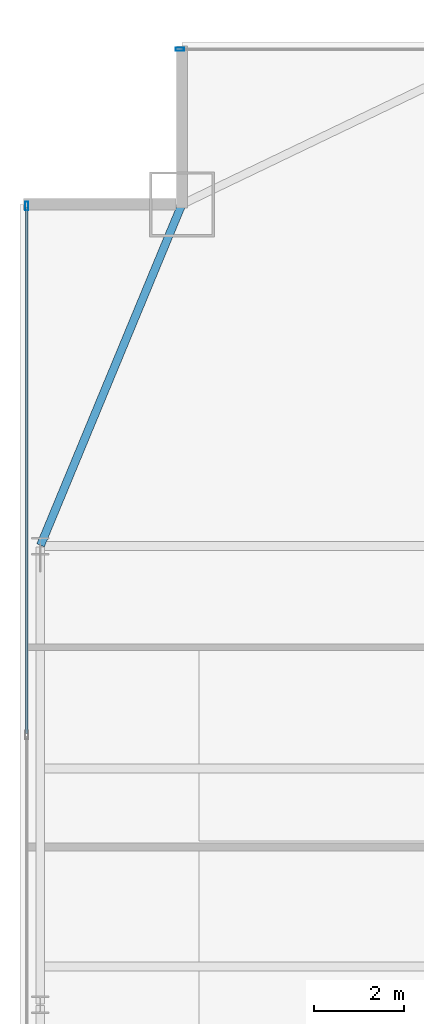
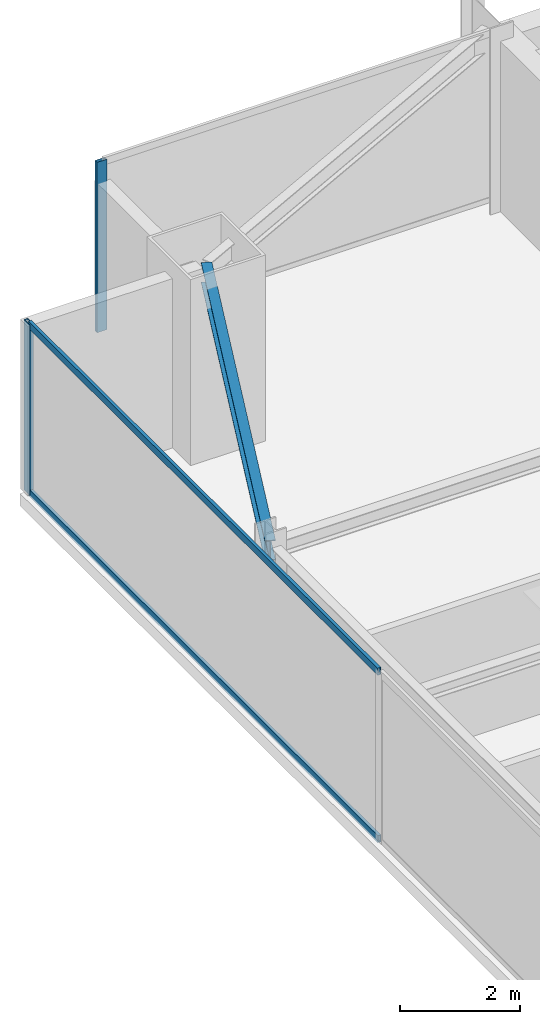
# One storey, part 21 of 33: 4 members, 1 beam, 2 elements without a shape of their own.
"""IFC4 building model written with IfcOpenShell, lengths in metres."""

from ifc_helpers import new_model, si_unit, direction, frame, origin, origin_2d, place, context, subcontext, project, spatial, hollow_rectangle, i_section, extrude, source, transform, mapped, material, layer, layer_set, material_profile, profile_set, type_object, type_shapes, element, aggregate, save


model = new_model("IFC4")

# Units and contexts
model_context = context("Model", 3, precision=1e-05, world=origin(), true_north=direction((0.0, 1.0)))
body_context = subcontext(model_context, "Body", "Model", "MODEL_VIEW")
ifc_project = project(units=[si_unit("LENGTHUNIT", "METRE"), si_unit("AREAUNIT", "SQUARE_METRE"), si_unit("VOLUMEUNIT", "CUBIC_METRE"), si_unit("PLANEANGLEUNIT", "RADIAN"), si_unit("MASSUNIT", "GRAM", prefix="KILO")], contexts=[model_context])

# Site, building, storey
site_placement = place(None, origin())
site = spatial("IfcSite", under=ifc_project, at=site_placement, CompositionType="ELEMENT")
building_placement = place(site_placement, origin())
building = spatial("IfcBuilding", under=site, at=building_placement, Name="Varnel Quay Broadcast Tower", CompositionType="ELEMENT")
storey_placement = place(building_placement, frame((0.0, 0.0, 137.199951171875)))
storey = spatial("IfcBuildingStorey", under=building, at=storey_placement, Name="L33", CompositionType="ELEMENT", Elevation=137.199951171875)

# Beam
ifc_material_1 = material(Name="Structural Steel CSA G40.21 350W", Category="steel")
ifc_material_profile_1 = material_profile(ifc_material_1, i_section(OverallWidth=0.180908203125, OverallDepth=0.4169921875, WebThickness=0.010986328125, FlangeThickness=0.018310546875, FilletRadius=0.011962890625, at=origin_2d()), Name="W410X85")
ifc_profile_set_1 = profile_set([ifc_material_profile_1], Name="Structural Steel CSA G40.21 350W")
beam_type = type_object("IfcBeamType", Name="Beam_W410X85", PredefinedType="SPANDREL", material=ifc_profile_set_1)
shared_shape_1 = source(origin(), body_context, "Body", "SweptSolid", [
    extrude(i_section(OverallWidth=0.180908203125, OverallDepth=0.4169921875, WebThickness=0.010986328125, FlangeThickness=0.018310546875, FilletRadius=0.011962890625, at=origin_2d()), origin(), (0.0, 0.0, 1.0), 8.186767578125),
])
type_shapes(beam_type, [shared_shape_1])
beam_placement = place(storey_placement, frame((4.957763671875, 35.618408203125, 3.271484375), z_axis=(0.382874132092, 0.923800519038, 0.0), x_axis=(-0.923800519038, 0.382874132092, 0.0)))
element("IfcBeam", 1, at=beam_placement, inside=storey, type_object=beam_type, Name="L33 West Spandrel TC-W3-MC-NW", PredefinedType="SPANDREL", context=body_context, shape_type="MappedRepresentation", body=[
    mapped(shared_shape_1, transform((0.0, 0.0, 0.0), x_axis=(1.0, 0.0, 0.0), y_axis=(0.0, 1.0, 0.0), z_axis=(0.0, 0.0, 1.0), scale=1.0)),
])

# Curtain wall, members
ifc_material_2 = material(Name="Anodised Bronze Aluminium 6063-T6", Category="aluminium")
ifc_layer = layer(ifc_material_2, 0.18994140625, Name="Anodised Bronze Aluminium 6063-T6")
ifc_layer_set = layer_set([ifc_layer], Name="Anodised Bronze Aluminium 6063-T6")
curtain_wall_type = type_object("IfcCurtainWallType", Name="CW_LowerTower", PredefinedType="NOTDEFINED", material=ifc_layer_set)
curtain_wall_1_placement = place(storey_placement, origin())
curtain_wall_1 = element("IfcCurtainWall", 2, at=curtain_wall_1_placement, inside=storey, type_object=curtain_wall_type, Name="L33 West Unitised Curtain Wall", PredefinedType="NOTDEFINED")
ifc_material_profile_2 = material_profile(ifc_material_2, hollow_rectangle(XDim=0.06005859375, YDim=0.14501953125, WallThickness=0.00341796875, at=origin_2d()), Name="ALU60X145X3.5")
ifc_profile_set_2 = profile_set([ifc_material_profile_2], Name="Anodised Bronze Aluminium 6063-T6")
member_type_1 = type_object("IfcMemberType", Name="Tran_CWS-02", PredefinedType="USERDEFINED", material=ifc_profile_set_2)
shared_shape_2 = source(origin(), body_context, "Body", "SweptSolid", [
    extrude(hollow_rectangle(XDim=0.06005859375, YDim=0.14501953125, WallThickness=0.00341796875, at=origin_2d()), origin(), (0.0, 0.0, 1.0), 11.69482421875),
])
type_shapes(member_type_1, [shared_shape_2])
member_1_placement = place(storey_placement, frame((4.64990234375, 31.43505859375, 0.030029296875), z_axis=(0.0, 1.0, 0.0), x_axis=(-1.0, 0.0, 0.0)))
member_1 = element("IfcMember", 3, at=member_1_placement, type_object=member_type_1, Name="CWS-02 transom 3.1", ObjectType="TRANSOM", PredefinedType="USERDEFINED", context=body_context, shape_type="MappedRepresentation", body=[
    mapped(shared_shape_2, transform((0.0, 0.0, 0.0), x_axis=(1.0, 0.0, 0.0), y_axis=(0.0, 1.0, 0.0), z_axis=(0.0, 0.0, 1.0), scale=1.0)),
])
member_2_placement = place(storey_placement, frame((4.64990234375, 31.43505859375, 3.449951171875), z_axis=(0.0, 1.0, 0.0), x_axis=(-1.0, 0.0, 0.0)))
member_2 = element("IfcMember", 4, at=member_2_placement, type_object=member_type_1, Name="CWS-02 transom 3.2", ObjectType="TRANSOM", PredefinedType="USERDEFINED", context=body_context, shape_type="MappedRepresentation", body=[
    mapped(shared_shape_2, transform((0.0, 0.0, 0.0), x_axis=(1.0, 0.0, 0.0), y_axis=(0.0, 1.0, 0.0), z_axis=(0.0, 0.0, 1.0), scale=1.0)),
])
ifc_material_profile_3 = material_profile(ifc_material_2, hollow_rectangle(XDim=0.070068359375, YDim=0.18994140625, WallThickness=0.00390625, at=origin_2d()), Name="ALU70X190X4")
ifc_profile_set_3 = profile_set([ifc_material_profile_3], Name="Anodised Bronze Aluminium 6063-T6")
member_type_2 = type_object("IfcMemberType", Name="Mull_CWS-02", PredefinedType="MULLION", material=ifc_profile_set_3)
shared_shape_3 = source(origin(), body_context, "Body", "SweptSolid", [
    extrude(hollow_rectangle(XDim=0.070068359375, YDim=0.18994140625, WallThickness=0.00390625, at=origin_2d()), origin(), (0.0, 0.0, 1.0), 3.47998046875),
])
type_shapes(member_type_2, [shared_shape_3])
member_3_placement = place(storey_placement, frame((4.64990234375, 43.1650390625, 0.0), z_axis=(0.0, 0.0, 1.0), x_axis=(-1.0, 0.0, 0.0)))
member_3 = element("IfcMember", 5, at=member_3_placement, type_object=member_type_2, Name="CWS-02 mullion 4", PredefinedType="MULLION", context=body_context, shape_type="MappedRepresentation", body=[
    mapped(shared_shape_3, transform((0.0, 0.0, 0.0), x_axis=(1.0, 0.0, 0.0), y_axis=(0.0, 1.0, 0.0), z_axis=(0.0, 0.0, 1.0), scale=1.0)),
])
aggregate(curtain_wall_1, [member_3, member_1, member_2])

# Curtain wall, member
curtain_wall_2_placement = place(storey_placement, origin())
curtain_wall_2 = element("IfcCurtainWall", 6, at=curtain_wall_2_placement, inside=storey, type_object=curtain_wall_type, Name="L33 NW Wing Curtain Wall", PredefinedType="NOTDEFINED")
member_4_placement = place(storey_placement, frame((8.054931640625, 46.64990234375, 0.0), z_axis=(0.0, 0.0, 1.0), x_axis=(0.0, 1.0, 0.0)))
member_4 = element("IfcMember", 7, at=member_4_placement, type_object=member_type_2, Name="CWS-02 mullion 1", PredefinedType="MULLION", context=body_context, shape_type="MappedRepresentation", body=[
    mapped(shared_shape_3, transform((0.0, 0.0, 0.0), x_axis=(1.0, 0.0, 0.0), y_axis=(0.0, 1.0, 0.0), z_axis=(0.0, 0.0, 1.0), scale=1.0)),
])
aggregate(curtain_wall_2, [member_4])

save(model, "model.ifc")
